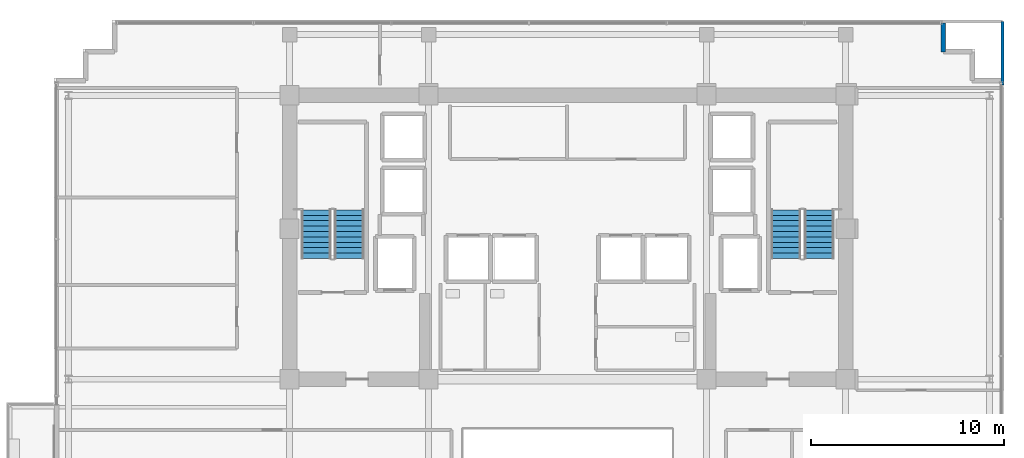
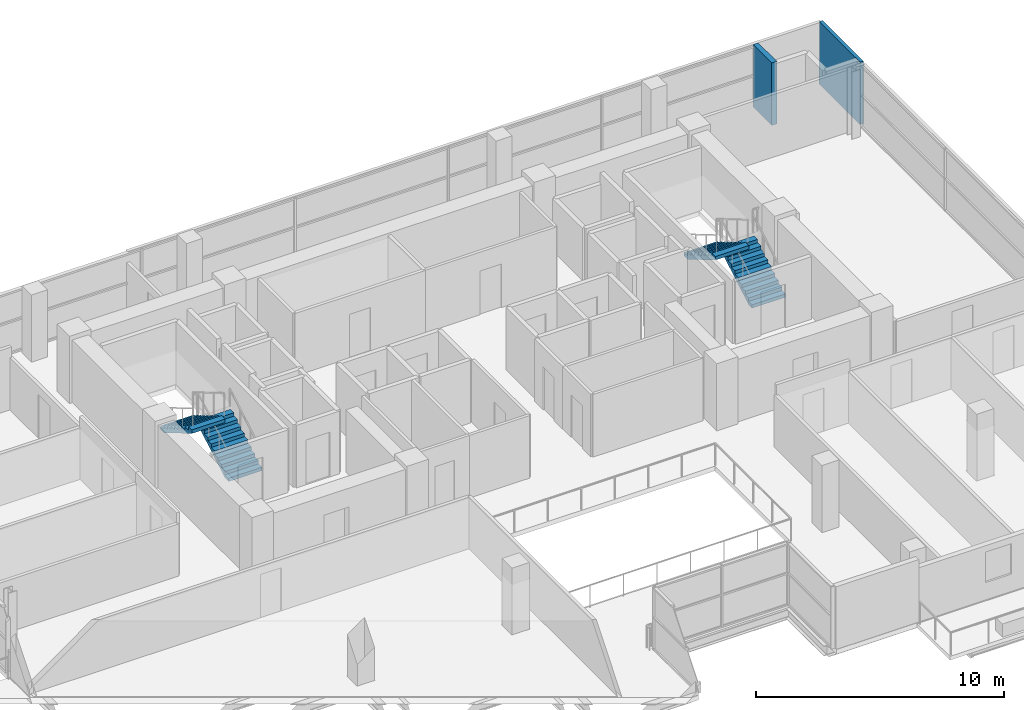
# One storey, part 17 of 21: 4 stair flights, 2 walls, 2 elements without a shape of their own.
"""IFC4 building model written with IfcOpenShell, lengths in metres."""

import ifcopenshell
import ifcopenshell.guid

model = None  # the IFC model being written
_history = None  # IfcOwnerHistory: only IFC2X3 demands one
_inside = {}  # id of a spatial element -> (the spatial element, [elements in it])
_under = {}  # id of a project, library or spatial element -> (it, [spatial elements below it])
_declared = {}  # id of a project -> (the project, [libraries it declares])
_typed = {}  # id of a type object -> (the type object, [elements of that type])
_made_of = {}  # id of a material, layer set ... -> (it, [elements and type objects made of it])


def new_model(schema):
    """Start an empty IFC model of exactly this schema.

    Asked for "IFC4X3", IfcOpenShell would pick the latest addendum, in which some entities
    have other attributes; the version numbers below select the first issue.
    IFC2X3 requires an IfcOwnerHistory on every rooted entity: one is made here for all.
    """
    global model, _history
    if schema == "IFC4X3":
        model = ifcopenshell.file(schema_version=(4, 3, 0, 0))
    else:
        model = ifcopenshell.file(schema=schema)
    _inside.clear()
    _under.clear()
    _declared.clear()
    _typed.clear()
    _made_of.clear()
    _history = None
    if model.schema == "IFC2X3":
        org = make("IfcOrganization", Name="unknown")
        user = make(
            "IfcPersonAndOrganization",
            ThePerson=make("IfcPerson", FamilyName="unknown"),
            TheOrganization=org,
        )
        app = make(
            "IfcApplication",
            ApplicationDeveloper=org,
            Version="unknown",
            ApplicationFullName="unknown",
            ApplicationIdentifier="unknown",
        )
        _history = make(
            "IfcOwnerHistory",
            OwningUser=user,
            OwningApplication=app,
            ChangeAction="ADDED",
            CreationDate=0,
        )
    return model


def make(cls, **values):
    """One entity of the class cls with the attributes given. An attribute that is None is left unset."""
    return model.create_entity(
        cls, **{name: value for name, value in values.items() if value is not None}
    )


def rooted(cls, **values):
    """An entity with a GlobalId (a new one), such as an element, a storey or a relation."""
    return make(cls, GlobalId=ifcopenshell.guid.new(), OwnerHistory=_history, **values)


def si_unit(unit_type, name, prefix=None):
    """IfcSIUnit, for example si_unit("LENGTHUNIT", "METRE", prefix="MILLI")."""
    return make("IfcSIUnit", UnitType=unit_type, Prefix=prefix, Name=name)


def assignment(units):
    """IfcUnitAssignment: the units of a project."""
    return None if units is None else make("IfcUnitAssignment", Units=units)


def point(xyz):
    """IfcCartesianPoint."""
    return None if xyz is None else make("IfcCartesianPoint", Coordinates=xyz)


def direction(xyz):
    """IfcDirection."""
    return None if xyz is None else make("IfcDirection", DirectionRatios=xyz)


def frame(location, z_axis=None, x_axis=None):
    """IfcAxis2Placement3D, a coordinate frame: its origin and axes. An axis left out is left unset."""
    return make(
        "IfcAxis2Placement3D",
        Location=point(location),
        Axis=direction(z_axis),
        RefDirection=direction(x_axis),
    )


def frame_2d(location, x_axis=None):
    """IfcAxis2Placement2D, a coordinate frame in the plane: its origin and x axis."""
    return make(
        "IfcAxis2Placement2D", Location=point(location), RefDirection=direction(x_axis)
    )


def origin():
    """The frame at (0, 0, 0) with its axes left unset."""
    return frame((0.0, 0.0, 0.0))


def place(relative_to, where):
    """IfcLocalPlacement: puts the frame where relative to a parent placement (None: the world)."""
    return make(
        "IfcLocalPlacement", PlacementRelTo=relative_to, RelativePlacement=where
    )


def context(
    kind, dimensions, precision=None, world=None, true_north=None, identifier=None
):
    """IfcGeometricRepresentationContext, for example the 3D "Model" context."""
    return make(
        "IfcGeometricRepresentationContext",
        ContextIdentifier=identifier,
        ContextType=kind,
        CoordinateSpaceDimension=dimensions,
        Precision=precision,
        WorldCoordinateSystem=world,
        TrueNorth=true_north,
    )


def subcontext(parent, identifier, kind, view, scale=None):
    """IfcGeometricRepresentationSubContext, for example "Body" below "Model"."""
    return make(
        "IfcGeometricRepresentationSubContext",
        ContextIdentifier=identifier,
        ContextType=kind,
        ParentContext=parent,
        TargetScale=scale,
        TargetView=view,
    )


def project(units=None, contexts=None):
    """IfcProject with its units and contexts."""
    return rooted(
        "IfcProject",
        Name="project",
        RepresentationContexts=contexts,
        UnitsInContext=assignment(units),
    )


def spatial(cls, under=None, at=None, **own):
    """A site, building, storey or space (cls), placed at a placement, below another one or the project."""
    s = rooted(cls, ObjectPlacement=at, **own)
    if under is not None:
        _under.setdefault(under.id(), (under, []))[1].append(s)
    return s


def polyline(points):
    """IfcPolyline through the points."""
    return make("IfcPolyline", Points=[point(p) for p in points])


def profile(cls, at=None, kind="AREA", **sizes):
    """A parametric profile (cls). Its sizes go by their IFC names, for example OverallWidth=200.0."""
    return make(cls, ProfileType=kind, Position=at, **sizes)


def rectangle(**sizes):
    """IfcRectangleProfileDef."""
    return profile("IfcRectangleProfileDef", **sizes)


def outline(outer, holes=None, kind="AREA"):
    """IfcArbitraryClosedProfileDef: a profile drawn as a closed curve; with holes, ...WithVoids."""
    if holes is None:
        return make("IfcArbitraryClosedProfileDef", ProfileType=kind, OuterCurve=outer)
    return make(
        "IfcArbitraryProfileDefWithVoids",
        ProfileType=kind,
        OuterCurve=outer,
        InnerCurves=holes,
    )


def extrude(swept, where, along, depth):
    """IfcExtrudedAreaSolid: the profile swept, set in the frame where, extruded along a direction by depth."""
    return make(
        "IfcExtrudedAreaSolid",
        SweptArea=swept,
        Position=where,
        ExtrudedDirection=direction(along),
        Depth=depth,
    )


def shape(context_of_items, identifier, shape_type, items):
    """IfcShapeRepresentation: the items that make up one representation, for example the "Body"."""
    return make(
        "IfcShapeRepresentation",
        ContextOfItems=context_of_items,
        RepresentationIdentifier=identifier,
        RepresentationType=shape_type,
        Items=items,
    )


def material(Name=None, Category=None):
    """IfcMaterial."""
    return make("IfcMaterial", Name=Name, Category=Category)


def layer(
    of_material, thickness, ventilated=None, Name=None, Category=None, Priority=None
):
    """IfcMaterialLayer: one layer of a wall or slab, of a material (None: an air gap)."""
    return make(
        "IfcMaterialLayer",
        Material=of_material,
        LayerThickness=thickness,
        IsVentilated=ventilated,
        Name=Name,
        Category=Category,
        Priority=Priority,
    )


def layer_set(layers, Name=None):
    """IfcMaterialLayerSet."""
    return make("IfcMaterialLayerSet", MaterialLayers=layers, LayerSetName=Name)


def made_of(thing, what):
    """Note that an element or type object is made of a material, layer set ...; save() writes the relation."""
    if what is not None:
        _made_of.setdefault(what.id(), (what, []))[1].append(thing)
    return thing


def type_object(cls, material=None, **own):
    """A type object (cls), such as IfcWallType, which elements share."""
    return made_of(rooted(cls, **own), material)


def element(
    cls,
    number,
    at=None,
    inside=None,
    cuts=None,
    type_object=None,
    material=None,
    context=None,
    identifier="Body",
    shape_type=None,
    held_by="IfcProductDefinitionShape",
    body=None,
    shapes=None,
    **own,
):
    """One element of the class cls, such as IfcWall. Its Tag is "e" and its number.

    at: its placement. inside: the storey or other place that contains it. cuts: it is an
    opening in that element (IfcRelVoidsElement). A single representation is given by context,
    identifier, shape_type and body (its items); several are given by shapes. held_by: the class
    of the entity that holds the representations. save() writes the other relations.
    """
    e = rooted(cls, Tag="e%d" % number, ObjectPlacement=at, **own)
    if body is not None:
        shapes = [shape(context, identifier, shape_type, body)]
    if shapes is not None:
        e.Representation = make(held_by, Representations=shapes)
    if inside is not None:
        _inside.setdefault(inside.id(), (inside, []))[1].append(e)
    if cuts is not None:
        rooted(
            "IfcRelVoidsElement", RelatingBuildingElement=cuts, RelatedOpeningElement=e
        )
    if type_object is not None:
        _typed.setdefault(type_object.id(), (type_object, []))[1].append(e)
    return made_of(e, material)


def aggregate(whole, parts):
    """IfcRelAggregates: a whole, such as a stair, and the parts it consists of."""
    return rooted("IfcRelAggregates", RelatingObject=whole, RelatedObjects=parts)


def save(model, path):
    """Write the relations noted so far, then the file.

    IfcRelAggregates (storeys below a building ...), IfcRelContainedInSpatialStructure (elements
    in a storey), IfcRelDefinesByType, IfcRelAssociatesMaterial and IfcRelDeclares: one each for
    every whole, place, type object, material and project.
    """
    for whole, parts in _under.values():
        aggregate(whole, parts)
    for where, things in _inside.values():
        rooted(
            "IfcRelContainedInSpatialStructure",
            RelatedElements=things,
            RelatingStructure=where,
        )
    for kind, things in _typed.values():
        rooted("IfcRelDefinesByType", RelatedObjects=things, RelatingType=kind)
    for what, things in _made_of.values():
        rooted("IfcRelAssociatesMaterial", RelatedObjects=things, RelatingMaterial=what)
    for by, libraries in _declared.values():
        rooted("IfcRelDeclares", RelatingContext=by, RelatedDefinitions=libraries)
    model.write(path)


model = new_model("IFC4")

# Units and contexts
model_context = context("Model", 3, precision=1e-05, world=origin(), true_north=direction((0.0, 1.0)))
body_context = subcontext(model_context, "Body", "Model", "MODEL_VIEW")
ifc_project = project(units=[si_unit("LENGTHUNIT", "METRE"), si_unit("AREAUNIT", "SQUARE_METRE"), si_unit("VOLUMEUNIT", "CUBIC_METRE"), si_unit("PLANEANGLEUNIT", "RADIAN"), si_unit("MASSUNIT", "GRAM", prefix="KILO")], contexts=[model_context])

# Site, building, storey
site_placement = place(None, origin())
site = spatial("IfcSite", under=ifc_project, at=site_placement, CompositionType="ELEMENT")
building_placement = place(site_placement, origin())
building = spatial("IfcBuilding", under=site, at=building_placement, Name="Zarnakvel Exchange Tower", CompositionType="ELEMENT")
storey_placement = place(building_placement, frame((0.0, 0.0, 159.39990234375)))
storey = spatial("IfcBuildingStorey", under=building, at=storey_placement, Name="L44", CompositionType="ELEMENT", Elevation=159.39990234375)

# Walls
ifc_material_1 = material(Name="Precast concrete C40/50", Category="concrete")
ifc_layer_1 = layer(ifc_material_1, 0.239990234375)
ifc_layer_set_1 = layer_set([ifc_layer_1], Name="Precast concrete C40/50")
wall_type_1 = type_object("IfcWallType", Name="EW-02", PredefinedType="SOLIDWALL", material=ifc_layer_set_1)
wall_1_placement = place(storey_placement, frame((19.4599609375, 15.760009765625, 0.0), z_axis=(0.0, 0.0, 1.0), x_axis=(0.0, 1.0, 0.0)))
element("IfcWall", 1, at=wall_1_placement, inside=storey, type_object=wall_type_1, Name="L44 Exterior Precast Spandrel Wall EWC-L44-07 (EW-02)", PredefinedType="SOLIDWALL", context=body_context, shape_type="SweptSolid", body=[
    extrude(rectangle(XDim=1.5, YDim=0.239990234375, at=frame_2d((0.75, 0.0))), origin(), (0.0, 0.0, 1.0), 3.0751953125),
])
ifc_material_2 = material(Name="Fire-Rated Gypsum Stud Partition", Category="gypsum")
ifc_layer_2 = layer(ifc_material_2, 0.14990234375)
ifc_layer_set_2 = layer_set([ifc_layer_2], Name="Fire-Rated Gypsum Stud Partition")
wall_type_2 = type_object("IfcWallType", Name="PT-01", PredefinedType="PARTITIONING", material=ifc_layer_set_2)
wall_2_placement = place(storey_placement, frame((22.530029296875, 17.330078125, 0.0), z_axis=(0.0, 0.0, 1.0), x_axis=(0.0, -1.0, 0.0)))
element("IfcWall", 2, at=wall_2_placement, inside=storey, type_object=wall_type_2, Name="L44 Partition Wall PWALL-L44-062 (PT-01)", PredefinedType="PARTITIONING", context=body_context, shape_type="SweptSolid", body=[
    extrude(rectangle(XDim=3.300048828125, YDim=0.14990234375, at=frame_2d((1.64990234375, 0.0))), origin(), (0.0, 0.0, 1.0), 3.0751953125),
])

# Stair, stair flights
ifc_material_3 = material(Name="Concrete C40/50", Category="concrete")
stair_type = type_object("IfcStairType", Name="STR-01", PredefinedType="HALF_TURN_STAIR", material=ifc_material_3)
stair_1_placement = place(storey_placement, origin())
stair_1 = element("IfcStair", 3, at=stair_1_placement, inside=storey, type_object=stair_type, Name="L44 Protected Core Exit Stair ST-01", PredefinedType="HALF_TURN_STAIR")
stair_flight_type = type_object("IfcStairFlightType", Name="FLT-01", PredefinedType="STRAIGHT", material=ifc_material_3)
stair_flight_1_placement = place(storey_placement, frame((-11.31494140625, 5.050048828125, 0.0), z_axis=(0.0, 0.0, 1.0), x_axis=(0.0, 1.0, 0.0)))
stair_flight_1 = element("IfcStairFlight", 4, at=stair_flight_1_placement, type_object=stair_flight_type, Name="ST-01 flight 1", NumberOfRisers=10, NumberOfTreads=9, PredefinedType="STRAIGHT", RiserHeight=0.165, TreadLength=0.28, context=body_context, shape_type="SweptSolid", body=[
    extrude(outline(polyline([(0.0, 0.0), (0.0, 0.1650390625), (0.280029296875, 0.1650390625), (0.280029296875, 0.330078125), (0.56005859375, 0.330078125), (0.56005859375, 0.4951171875), (0.840087890625, 0.4951171875), (0.840087890625, 0.659912109375), (1.1201171875, 0.659912109375), (1.1201171875, 0.824951171875), (1.39990234375, 0.824951171875), (1.39990234375, 0.989990234375), (1.679931640625, 0.989990234375), (1.679931640625, 1.155029296875), (1.9599609375, 1.155029296875), (1.9599609375, 1.320068359375), (2.239990234375, 1.320068359375), (2.239990234375, 1.485107421875), (2.52001953125, 1.485107421875), (2.52001953125, 1.64990234375), (2.52001953125, 1.31103515625), (0.295166015625, 0.0), (0.0, 0.0)])), frame((0.0, 0.77490234375, 0.0), z_axis=(0.0, -1.0, 0.0), x_axis=(1.0, 0.0, 0.0)), (0.0, 0.0, 1.0), 1.550048828125),
])
stair_flight_2_placement = place(storey_placement, frame((-13.02490234375, 7.570068359375, 1.650146484375), z_axis=(0.0, 0.0, 1.0), x_axis=(0.0, -1.0, 0.0)))
stair_flight_2 = element("IfcStairFlight", 5, at=stair_flight_2_placement, type_object=stair_flight_type, Name="ST-01 flight 2", NumberOfRisers=10, NumberOfTreads=9, PredefinedType="STRAIGHT", RiserHeight=0.165, TreadLength=0.28, context=body_context, shape_type="SweptSolid", body=[
    extrude(outline(polyline([(0.0, 0.0), (0.0, 0.1650390625), (0.280029296875, 0.1650390625), (0.280029296875, 0.330078125), (0.56005859375, 0.330078125), (0.56005859375, 0.4951171875), (0.840087890625, 0.4951171875), (0.840087890625, 0.659912109375), (1.1201171875, 0.659912109375), (1.1201171875, 0.824951171875), (1.39990234375, 0.824951171875), (1.39990234375, 0.989990234375), (1.679931640625, 0.989990234375), (1.679931640625, 1.155029296875), (1.9599609375, 1.155029296875), (1.9599609375, 1.320068359375), (2.239990234375, 1.320068359375), (2.239990234375, 1.485107421875), (2.52001953125, 1.485107421875), (2.52001953125, 1.64990234375), (2.52001953125, 1.31103515625), (0.295166015625, 0.0), (0.0, 0.0)])), frame((0.0, 0.77490234375, 0.0), z_axis=(0.0, -1.0, 0.0), x_axis=(1.0, 0.0, 0.0)), (0.0, 0.0, 1.0), 1.550048828125),
])
aggregate(stair_1, [stair_flight_1, stair_flight_2])

stair_2_placement = place(storey_placement, origin())
stair_2 = element("IfcStair", 6, at=stair_2_placement, inside=storey, type_object=stair_type, Name="L44 Protected Core Exit Stair ST-02", PredefinedType="HALF_TURN_STAIR")
stair_flight_3_placement = place(storey_placement, frame((13.02490234375, 5.050048828125, 0.0), z_axis=(0.0, 0.0, 1.0), x_axis=(0.0, 1.0, 0.0)))
stair_flight_3 = element("IfcStairFlight", 7, at=stair_flight_3_placement, type_object=stair_flight_type, Name="ST-02 flight 1", NumberOfRisers=10, NumberOfTreads=9, PredefinedType="STRAIGHT", RiserHeight=0.165, TreadLength=0.28, context=body_context, shape_type="SweptSolid", body=[
    extrude(outline(polyline([(0.0, 0.0), (0.0, 0.1650390625), (0.280029296875, 0.1650390625), (0.280029296875, 0.330078125), (0.56005859375, 0.330078125), (0.56005859375, 0.4951171875), (0.840087890625, 0.4951171875), (0.840087890625, 0.659912109375), (1.1201171875, 0.659912109375), (1.1201171875, 0.824951171875), (1.39990234375, 0.824951171875), (1.39990234375, 0.989990234375), (1.679931640625, 0.989990234375), (1.679931640625, 1.155029296875), (1.9599609375, 1.155029296875), (1.9599609375, 1.320068359375), (2.239990234375, 1.320068359375), (2.239990234375, 1.485107421875), (2.52001953125, 1.485107421875), (2.52001953125, 1.64990234375), (2.52001953125, 1.31103515625), (0.295166015625, 0.0), (0.0, 0.0)])), frame((0.0, 0.77490234375, 0.0), z_axis=(0.0, -1.0, 0.0), x_axis=(1.0, 0.0, 0.0)), (0.0, 0.0, 1.0), 1.550048828125),
])
stair_flight_4_placement = place(storey_placement, frame((11.31494140625, 7.570068359375, 1.650146484375), z_axis=(0.0, 0.0, 1.0), x_axis=(0.0, -1.0, 0.0)))
stair_flight_4 = element("IfcStairFlight", 8, at=stair_flight_4_placement, type_object=stair_flight_type, Name="ST-02 flight 2", NumberOfRisers=10, NumberOfTreads=9, PredefinedType="STRAIGHT", RiserHeight=0.165, TreadLength=0.28, context=body_context, shape_type="SweptSolid", body=[
    extrude(outline(polyline([(0.0, 0.0), (0.0, 0.1650390625), (0.280029296875, 0.1650390625), (0.280029296875, 0.330078125), (0.56005859375, 0.330078125), (0.56005859375, 0.4951171875), (0.840087890625, 0.4951171875), (0.840087890625, 0.659912109375), (1.1201171875, 0.659912109375), (1.1201171875, 0.824951171875), (1.39990234375, 0.824951171875), (1.39990234375, 0.989990234375), (1.679931640625, 0.989990234375), (1.679931640625, 1.155029296875), (1.9599609375, 1.155029296875), (1.9599609375, 1.320068359375), (2.239990234375, 1.320068359375), (2.239990234375, 1.485107421875), (2.52001953125, 1.485107421875), (2.52001953125, 1.64990234375), (2.52001953125, 1.31103515625), (0.295166015625, 0.0), (0.0, 0.0)])), frame((0.0, 0.77490234375, 0.0), z_axis=(0.0, -1.0, 0.0), x_axis=(1.0, 0.0, 0.0)), (0.0, 0.0, 1.0), 1.550048828125),
])
aggregate(stair_2, [stair_flight_3, stair_flight_4])

save(model, "model.ifc")
